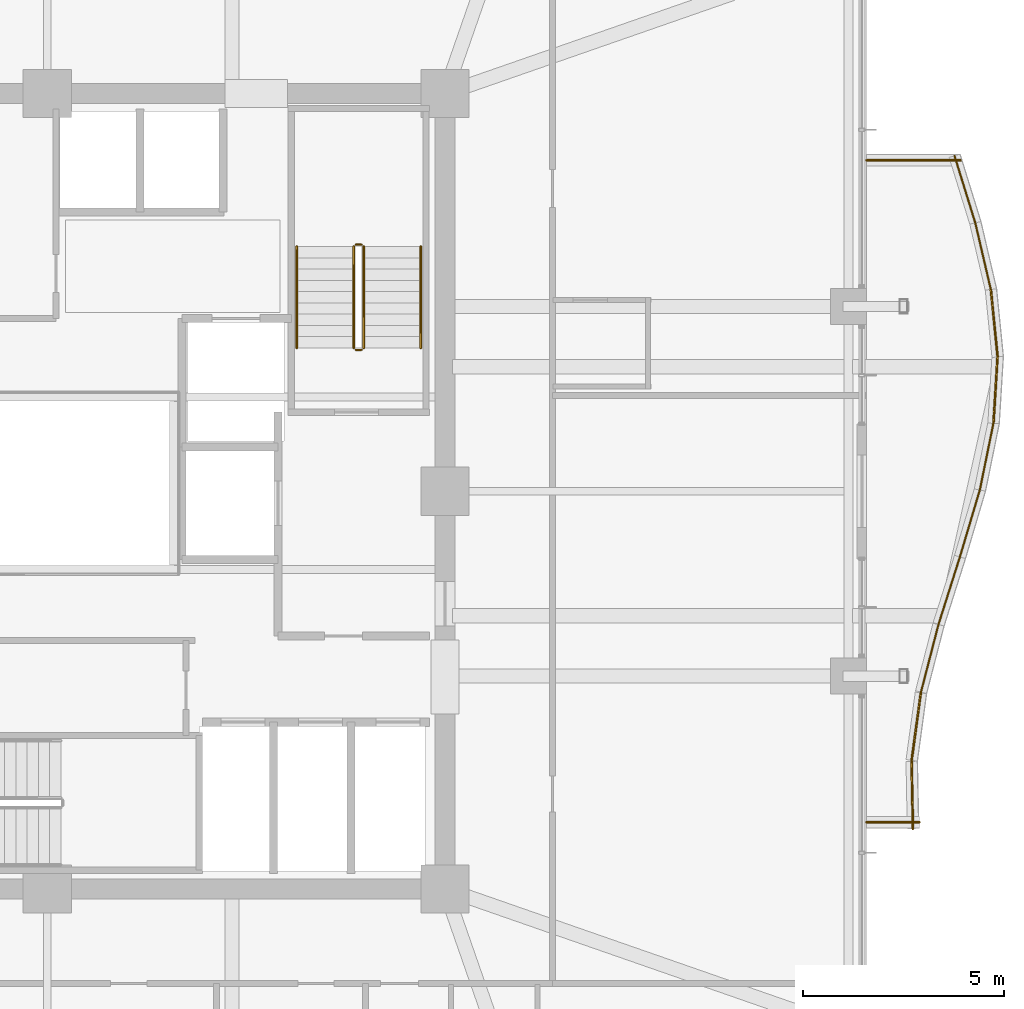
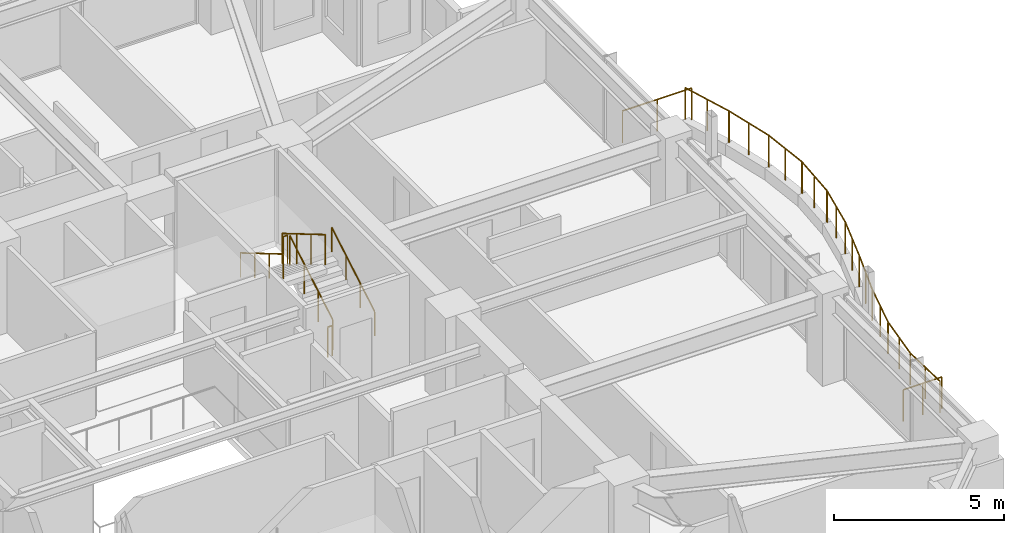
# One storey, part 35 of 35: 18 railings.
"""IFC4 building model written with IfcOpenShell, lengths in metres."""

from ifc_helpers import new_model, si_unit, direction, frame, origin, origin_2d, place, context, subcontext, project, spatial, circle, extrude, material, type_object, element, save


model = new_model("IFC4")

# Units and contexts
model_context = context("Model", 3, precision=1e-05, world=origin(), true_north=direction((0.0, 1.0)))
body_context = subcontext(model_context, "Body", "Model", "MODEL_VIEW")
ifc_project = project(units=[si_unit("LENGTHUNIT", "METRE"), si_unit("AREAUNIT", "SQUARE_METRE"), si_unit("VOLUMEUNIT", "CUBIC_METRE"), si_unit("PLANEANGLEUNIT", "RADIAN"), si_unit("MASSUNIT", "GRAM", prefix="KILO")], contexts=[model_context])

# Site, building, storey
site_placement = place(None, origin())
site = spatial("IfcSite", under=ifc_project, at=site_placement, CompositionType="ELEMENT")
building_placement = place(site_placement, origin())
building = spatial("IfcBuilding", under=site, at=building_placement, Name="Kolvaren Belvedere", CompositionType="ELEMENT")
storey_placement = place(building_placement, frame((0.0, 0.0, 176.699951171875)))
storey = spatial("IfcBuildingStorey", under=building, at=storey_placement, Name="L51", CompositionType="ELEMENT", Elevation=176.699951171875)

# Railings
ifc_material_1 = material(Name="Anodised pale-metal aluminium & laminated glass guard", Category="aluminium")
railing_type_1 = type_object("IfcRailingType", Name="RL-GUARD-1150", PredefinedType="GUARDRAIL", material=ifc_material_1)
railing_1_placement = place(storey_placement, frame((21.552978515625, -8.4033203125, 0.380126953125)))
element("IfcRailing", 1, at=railing_1_placement, inside=storey, type_object=railing_type_1, Name="L51 Exterior Deck Safety Guard BAL-E-1", PredefinedType="GUARDRAIL", context=body_context, shape_type="SweptSolid", body=[
    extrude(circle(Radius=0.02392578125, at=origin_2d()), frame((0.0, 0.0, 1.1259765625), z_axis=(-0.020193498486, 0.99979609052, 0.0), x_axis=(-0.99979609052, -0.020193498486, 0.0)), (0.0, 0.0, 1.0), 1.680419921875),
    extrude(circle(Radius=0.02099609375, at=origin_2d()), origin(), (0.0, 0.0, 1.0), 1.101806640625),
    extrude(circle(Radius=0.02099609375, at=origin_2d()), frame((-0.01708984375, 0.840087890625, 0.0)), (0.0, 0.0, 1.0), 1.101806640625),
    extrude(circle(Radius=0.02099609375, at=origin_2d()), frame((-0.033935546875, 1.68017578125, 0.0)), (0.0, 0.0, 1.0), 1.101806640625),
])
railing_2_placement = place(storey_placement, frame((21.5205078125, -6.698486328125, 0.380126953125)))
element("IfcRailing", 2, at=railing_2_placement, inside=storey, type_object=railing_type_1, Name="L51 Exterior Deck Safety Guard BAL-E-2", PredefinedType="GUARDRAIL", context=body_context, shape_type="SweptSolid", body=[
    extrude(circle(Radius=0.02392578125, at=origin_2d()), frame((0.0, 0.0, 1.1259765625), z_axis=(0.134907602079, 0.990858183042, 0.0), x_axis=(-0.990858183042, 0.134907602079, 0.0)), (0.0, 0.0, 1.0), 1.695556640625),
    extrude(circle(Radius=0.02099609375, at=origin_2d()), origin(), (0.0, 0.0, 1.0), 1.101806640625),
    extrude(circle(Radius=0.02099609375, at=origin_2d()), frame((0.1142578125, 0.840087890625, 0.0)), (0.0, 0.0, 1.0), 1.101806640625),
    extrude(circle(Radius=0.02099609375, at=origin_2d()), frame((0.228759765625, 1.68017578125, 0.0)), (0.0, 0.0, 1.0), 1.101806640625),
])
railing_3_placement = place(storey_placement, frame((21.7529296875, -5.0, 0.380126953125)))
element("IfcRailing", 3, at=railing_3_placement, inside=storey, type_object=railing_type_1, Name="L51 Exterior Deck Safety Guard BAL-E-3", PredefinedType="GUARDRAIL", context=body_context, shape_type="SweptSolid", body=[
    extrude(circle(Radius=0.02392578125, at=origin_2d()), frame((0.0, 0.0, 1.1259765625), z_axis=(0.250405556038, 0.968141031826, 0.0), x_axis=(-0.968141031826, 0.250405556038, 0.0)), (0.0, 0.0, 1.0), 1.7353515625),
    extrude(circle(Radius=0.02099609375, at=origin_2d()), origin(), (0.0, 0.0, 1.0), 1.101806640625),
    extrude(circle(Radius=0.02099609375, at=origin_2d()), frame((0.21728515625, 0.840087890625, 0.0)), (0.0, 0.0, 1.0), 1.101806640625),
    extrude(circle(Radius=0.02099609375, at=origin_2d()), frame((0.4345703125, 1.68017578125, 0.0)), (0.0, 0.0, 1.0), 1.101806640625),
])
railing_4_placement = place(storey_placement, frame((22.18994140625, -3.3115234375, 0.380126953125)))
element("IfcRailing", 4, at=railing_4_placement, inside=storey, type_object=railing_type_1, Name="L51 Exterior Deck Safety Guard BAL-E-4", PredefinedType="GUARDRAIL", context=body_context, shape_type="SweptSolid", body=[
    extrude(circle(Radius=0.02392578125, at=origin_2d()), frame((0.0, 0.0, 1.1259765625), z_axis=(0.302397356111, 0.953181954832, 0.0), x_axis=(-0.953181954832, 0.302397356111, 0.0)), (0.0, 0.0, 1.0), 1.762451171875),
    extrude(circle(Radius=0.02099609375, at=origin_2d()), origin(), (0.0, 0.0, 1.0), 1.101806640625),
    extrude(circle(Radius=0.02099609375, at=origin_2d()), frame((0.2666015625, 0.83984375, 0.0)), (0.0, 0.0, 1.0), 1.101806640625),
    extrude(circle(Radius=0.02099609375, at=origin_2d()), frame((0.532958984375, 1.679931640625, 0.0)), (0.0, 0.0, 1.0), 1.101806640625),
])
railing_5_placement = place(storey_placement, frame((22.721923828125, -1.634521484375, 0.380126953125)))
element("IfcRailing", 5, at=railing_5_placement, inside=storey, type_object=railing_type_1, Name="L51 Exterior Deck Safety Guard BAL-E-5", PredefinedType="GUARDRAIL", context=body_context, shape_type="SweptSolid", body=[
    extrude(circle(Radius=0.02392578125, at=origin_2d()), frame((0.0, 0.0, 1.1259765625), z_axis=(0.284970268083, 0.958536356279, 0.0), x_axis=(-0.958536356279, 0.284970268083, 0.0)), (0.0, 0.0, 1.0), 1.7529296875),
    extrude(circle(Radius=0.02099609375, at=origin_2d()), origin(), (0.0, 0.0, 1.0), 1.101806640625),
    extrude(circle(Radius=0.02099609375, at=origin_2d()), frame((0.249755859375, 0.840087890625, 0.0)), (0.0, 0.0, 1.0), 1.101806640625),
    extrude(circle(Radius=0.02099609375, at=origin_2d()), frame((0.49951171875, 1.68017578125, 0.0)), (0.0, 0.0, 1.0), 1.101806640625),
])
railing_6_placement = place(storey_placement, frame((23.218017578125, 0.031982421875, 0.380126953125)))
element("IfcRailing", 6, at=railing_6_placement, inside=storey, type_object=railing_type_1, Name="L51 Exterior Deck Safety Guard BAL-E-6", PredefinedType="GUARDRAIL", context=body_context, shape_type="SweptSolid", body=[
    extrude(circle(Radius=0.02392578125, at=origin_2d()), frame((0.0, 0.0, 1.1259765625), z_axis=(0.199647526069, 0.979867779516, 0.0), x_axis=(-0.979867779516, 0.199647526069, 0.0)), (0.0, 0.0, 1.0), 1.71435546875),
    extrude(circle(Radius=0.02099609375, at=origin_2d()), origin(), (0.0, 0.0, 1.0), 1.101806640625),
    extrude(circle(Radius=0.02099609375, at=origin_2d()), frame((0.171142578125, 0.83984375, 0.0)), (0.0, 0.0, 1.0), 1.101806640625),
    extrude(circle(Radius=0.02099609375, at=origin_2d()), frame((0.34228515625, 1.679931640625, 0.0)), (0.0, 0.0, 1.0), 1.101806640625),
])
railing_7_placement = place(storey_placement, frame((23.5576171875, 1.689697265625, 0.380126953125)))
element("IfcRailing", 7, at=railing_7_placement, inside=storey, type_object=railing_type_1, Name="L51 Exterior Deck Safety Guard BAL-E-7", PredefinedType="GUARDRAIL", context=body_context, shape_type="SweptSolid", body=[
    extrude(circle(Radius=0.02392578125, at=origin_2d()), frame((0.0, 0.0, 1.1259765625), z_axis=(0.061059932685, 0.998134101522, 0.0), x_axis=(-0.998134101522, 0.061059932685, 0.0)), (0.0, 0.0, 1.0), 1.683349609375),
    extrude(circle(Radius=0.02099609375, at=origin_2d()), origin(), (0.0, 0.0, 1.0), 1.101806640625),
    extrude(circle(Radius=0.02099609375, at=origin_2d()), frame((0.05126953125, 0.840087890625, 0.0)), (0.0, 0.0, 1.0), 1.101806640625),
    extrude(circle(Radius=0.02099609375, at=origin_2d()), frame((0.102783203125, 1.68017578125, 0.0)), (0.0, 0.0, 1.0), 1.101806640625),
])
railing_8_placement = place(storey_placement, frame((23.660888671875, 3.343994140625, 0.380126953125)))
element("IfcRailing", 8, at=railing_8_placement, inside=storey, type_object=railing_type_1, Name="L51 Exterior Deck Safety Guard BAL-E-8", PredefinedType="GUARDRAIL", context=body_context, shape_type="SweptSolid", body=[
    extrude(circle(Radius=0.02392578125, at=origin_2d()), frame((0.0, 0.0, 1.1259765625), z_axis=(-0.099618240186, 0.995025731437, 0.0), x_axis=(-0.995025731437, -0.099618240186, 0.0)), (0.0, 0.0, 1.0), 1.6884765625),
    extrude(circle(Radius=0.02099609375, at=origin_2d()), origin(), (0.0, 0.0, 1.0), 1.101806640625),
    extrude(circle(Radius=0.02099609375, at=origin_2d()), frame((-0.083984375, 0.840087890625, 0.0)), (0.0, 0.0, 1.0), 1.101806640625),
    extrude(circle(Radius=0.02099609375, at=origin_2d()), frame((-0.168212890625, 1.68017578125, 0.0)), (0.0, 0.0, 1.0), 1.101806640625),
])
railing_9_placement = place(storey_placement, frame((23.49609375, 5.003662109375, 0.380126953125)))
element("IfcRailing", 9, at=railing_9_placement, inside=storey, type_object=railing_type_1, Name="L51 Exterior Deck Safety Guard BAL-E-9", PredefinedType="GUARDRAIL", context=body_context, shape_type="SweptSolid", body=[
    extrude(circle(Radius=0.02392578125, at=origin_2d()), frame((0.0, 0.0, 1.1259765625), z_axis=(-0.227019323824, 0.973890253884, 0.0), x_axis=(-0.973890253884, -0.227019323824, 0.0)), (0.0, 0.0, 1.0), 1.724853515625),
    extrude(circle(Radius=0.02099609375, at=origin_2d()), origin(), (0.0, 0.0, 1.0), 1.101806640625),
    extrude(circle(Radius=0.02099609375, at=origin_2d()), frame((-0.19580078125, 0.83984375, 0.0)), (0.0, 0.0, 1.0), 1.101806640625),
    extrude(circle(Radius=0.02099609375, at=origin_2d()), frame((-0.3916015625, 1.679931640625, 0.0)), (0.0, 0.0, 1.0), 1.101806640625),
])
railing_10_placement = place(storey_placement, frame((23.107421875, 6.672607421875, 0.380126953125)))
element("IfcRailing", 10, at=railing_10_placement, inside=storey, type_object=railing_type_1, Name="L51 Exterior Deck Safety Guard BAL-E-10", PredefinedType="GUARDRAIL", context=body_context, shape_type="SweptSolid", body=[
    extrude(circle(Radius=0.02392578125, at=origin_2d()), frame((0.0, 0.0, 1.1259765625), z_axis=(-0.29579229954, 0.955252278476, 0.0), x_axis=(-0.955252278476, -0.29579229954, 0.0)), (0.0, 0.0, 1.0), 1.7587890625),
    extrude(circle(Radius=0.02099609375, at=origin_2d()), origin(), (0.0, 0.0, 1.0), 1.101806640625),
    extrude(circle(Radius=0.02099609375, at=origin_2d()), frame((-0.26025390625, 0.840087890625, 0.0)), (0.0, 0.0, 1.0), 1.101806640625),
    extrude(circle(Radius=0.02099609375, at=origin_2d()), frame((-0.520263671875, 1.68017578125, 0.0)), (0.0, 0.0, 1.0), 1.101806640625),
])
railing_11_placement = place(storey_placement, frame((22.739990234375, 8.239990234375, 0.380126953125)))
element("IfcRailing", 11, at=railing_11_placement, inside=storey, type_object=railing_type_1, Name="L51 Exterior Deck Safety Guard BAL-E-11", PredefinedType="GUARDRAIL", context=body_context, shape_type="SweptSolid", body=[
    extrude(circle(Radius=0.02392578125, at=origin_2d()), frame((0.0, 0.0, 1.1259765625), z_axis=(-1.0, 0.0, 0.0), x_axis=(0.0, -1.0, 0.0)), (0.0, 0.0, 1.0), 2.340087890625),
    extrude(circle(Radius=0.02099609375, at=origin_2d()), origin(), (0.0, 0.0, 1.0), 1.101806640625),
    extrude(circle(Radius=0.02099609375, at=origin_2d()), frame((-1.169921875, 0.0, 0.0)), (0.0, 0.0, 1.0), 1.101806640625),
    extrude(circle(Radius=0.02099609375, at=origin_2d()), frame((-2.340087890625, 0.0, 0.0)), (0.0, 0.0, 1.0), 1.101806640625),
])
railing_12_placement = place(storey_placement, frame((20.39990234375, -8.239990234375, 0.380126953125)))
element("IfcRailing", 12, at=railing_12_placement, inside=storey, type_object=railing_type_1, Name="L51 Exterior Deck Safety Guard BAL-E-22", PredefinedType="GUARDRAIL", context=body_context, shape_type="SweptSolid", body=[
    extrude(circle(Radius=0.02392578125, at=origin_2d()), frame((0.0, 0.0, 1.1259765625), z_axis=(1.0, 0.0, 0.0), x_axis=(0.0, 1.0, 0.0)), (0.0, 0.0, 1.0), 1.31298828125),
    extrude(circle(Radius=0.02099609375, at=origin_2d()), origin(), (0.0, 0.0, 1.0), 1.101806640625),
    extrude(circle(Radius=0.02099609375, at=origin_2d()), frame((0.656494140625, 0.0, 0.0)), (0.0, 0.0, 1.0), 1.101806640625),
    extrude(circle(Radius=0.02099609375, at=origin_2d()), frame((1.31298828125, 0.0, 0.0)), (0.0, 0.0, 1.0), 1.101806640625),
])
ifc_material_2 = material(Name="Brushed stainless-steel handrail", Category="steel")
railing_type_2 = type_object("IfcRailingType", Name="RL-HANDRAIL-920", PredefinedType="HANDRAIL", material=ifc_material_2)
railing_13_placement = place(storey_placement, frame((9.300048828125, 3.570068359375, 0.1650390625)))
element("IfcRailing", 13, at=railing_13_placement, inside=storey, type_object=railing_type_2, Name="L51 ST-2 stair handrail 1", PredefinedType="HANDRAIL", context=body_context, shape_type="SweptSolid", body=[
    extrude(circle(Radius=0.02392578125, at=origin_2d()), frame((0.0, 0.0, 0.8759765625), z_axis=(0.0, 0.86152411907, 0.507716645641), x_axis=(-1.0, 0.0, 0.0)), (0.0, 0.0, 1.0), 2.925048828125),
    extrude(circle(Radius=0.02099609375, at=origin_2d()), origin(), (0.0, 0.0, 1.0), 0.851806640625),
    extrude(circle(Radius=0.02099609375, at=origin_2d()), frame((0.0, 0.840087890625, 0.4951171875)), (0.0, 0.0, 1.0), 0.851806640625),
    extrude(circle(Radius=0.02099609375, at=origin_2d()), frame((0.0, 1.679931640625, 0.989990234375)), (0.0, 0.0, 1.0), 0.851806640625),
    extrude(circle(Radius=0.02099609375, at=origin_2d()), frame((0.0, 2.52001953125, 1.485107421875)), (0.0, 0.0, 1.0), 0.851806640625),
])
railing_14_placement = place(storey_placement, frame((6.2099609375, 6.090087890625, 1.81494140625)))
element("IfcRailing", 14, at=railing_14_placement, inside=storey, type_object=railing_type_2, Name="L51 ST-2 stair handrail 2", PredefinedType="HANDRAIL", context=body_context, shape_type="SweptSolid", body=[
    extrude(circle(Radius=0.02392578125, at=origin_2d()), frame((0.0, 0.0, 0.8759765625), z_axis=(0.0, -0.86152411907, 0.507716645641), x_axis=(1.0, 0.0, 0.0)), (0.0, 0.0, 1.0), 2.925048828125),
    extrude(circle(Radius=0.02099609375, at=origin_2d()), origin(), (0.0, 0.0, 1.0), 0.851806640625),
    extrude(circle(Radius=0.02099609375, at=origin_2d()), frame((0.0, -0.840087890625, 0.4951171875)), (0.0, 0.0, 1.0), 0.851806640625),
    extrude(circle(Radius=0.02099609375, at=origin_2d()), frame((0.0, -1.679931640625, 0.989990234375)), (0.0, 0.0, 1.0), 0.851806640625),
    extrude(circle(Radius=0.02099609375, at=origin_2d()), frame((0.0, -2.52001953125, 1.485107421875)), (0.0, 0.0, 1.0), 0.851806640625),
])
ifc_material_3 = material(Name="Painted tubular steel stair guard", Category="steel")
railing_type_3 = type_object("IfcRailingType", Name="RL-STGUARD-1100", PredefinedType="GUARDRAIL", material=ifc_material_3)
railing_15_placement = place(storey_placement, frame((7.8798828125, 3.570068359375, 0.1650390625)))
element("IfcRailing", 15, at=railing_15_placement, inside=storey, type_object=railing_type_3, Name="L51 ST-2 stair guard 1", PredefinedType="GUARDRAIL", context=body_context, shape_type="SweptSolid", body=[
    extrude(circle(Radius=0.02392578125, at=origin_2d()), frame((0.0, 0.0, 1.076171875), z_axis=(0.0, 0.86152411907, 0.507716645641), x_axis=(-1.0, 0.0, 0.0)), (0.0, 0.0, 1.0), 2.925048828125),
    extrude(circle(Radius=0.02099609375, at=origin_2d()), origin(), (0.0, 0.0, 1.0), 1.052001953125),
    extrude(circle(Radius=0.02099609375, at=origin_2d()), frame((0.0, 0.840087890625, 0.4951171875)), (0.0, 0.0, 1.0), 1.052001953125),
    extrude(circle(Radius=0.02099609375, at=origin_2d()), frame((0.0, 1.679931640625, 0.989990234375)), (0.0, 0.0, 1.0), 1.052001953125),
    extrude(circle(Radius=0.02099609375, at=origin_2d()), frame((0.0, 2.52001953125, 1.485107421875)), (0.0, 0.0, 1.0), 1.052001953125),
])
railing_16_placement = place(storey_placement, frame((7.830078125, 6.139892578125, 1.650146484375)))
element("IfcRailing", 16, at=railing_16_placement, inside=storey, type_object=railing_type_3, Name="L51 ST-2 stair guard 2", PredefinedType="GUARDRAIL", context=body_context, shape_type="SweptSolid", body=[
    extrude(circle(Radius=0.02392578125, at=origin_2d()), frame((0.0, 0.0, 1.076171875), z_axis=(-1.0, 0.0, 0.0), x_axis=(0.0, -1.0, 0.0)), (0.0, 0.0, 1.0), 0.150146484375),
    extrude(circle(Radius=0.02099609375, at=origin_2d()), origin(), (0.0, 0.0, 1.0), 1.052001953125),
    extrude(circle(Radius=0.02099609375, at=origin_2d()), frame((-0.150146484375, 0.0, 0.0)), (0.0, 0.0, 1.0), 1.052001953125),
])
railing_17_placement = place(storey_placement, frame((7.6298828125, 6.090087890625, 1.81494140625)))
element("IfcRailing", 17, at=railing_17_placement, inside=storey, type_object=railing_type_3, Name="L51 ST-2 stair guard 3", PredefinedType="GUARDRAIL", context=body_context, shape_type="SweptSolid", body=[
    extrude(circle(Radius=0.02392578125, at=origin_2d()), frame((0.0, 0.0, 1.076171875), z_axis=(0.0, -0.86152411907, 0.507716645641), x_axis=(1.0, 0.0, 0.0)), (0.0, 0.0, 1.0), 2.925048828125),
    extrude(circle(Radius=0.02099609375, at=origin_2d()), origin(), (0.0, 0.0, 1.0), 1.052001953125),
    extrude(circle(Radius=0.02099609375, at=origin_2d()), frame((0.0, -0.840087890625, 0.4951171875)), (0.0, 0.0, 1.0), 1.052001953125),
    extrude(circle(Radius=0.02099609375, at=origin_2d()), frame((0.0, -1.679931640625, 0.989990234375)), (0.0, 0.0, 1.0), 1.052001953125),
    extrude(circle(Radius=0.02099609375, at=origin_2d()), frame((0.0, -2.52001953125, 1.485107421875)), (0.0, 0.0, 1.0), 1.052001953125),
])
railing_18_placement = place(storey_placement, frame((7.830078125, 3.52001953125, 0.0)))
element("IfcRailing", 18, at=railing_18_placement, inside=storey, type_object=railing_type_3, Name="L51 ST-2 stair guard 4", PredefinedType="GUARDRAIL", context=body_context, shape_type="SweptSolid", body=[
    extrude(circle(Radius=0.02392578125, at=origin_2d()), frame((0.0, 0.0, 1.076171875), z_axis=(-1.0, 0.0, 0.0), x_axis=(0.0, -1.0, 0.0)), (0.0, 0.0, 1.0), 0.150146484375),
    extrude(circle(Radius=0.02099609375, at=origin_2d()), origin(), (0.0, 0.0, 1.0), 1.052001953125),
    extrude(circle(Radius=0.02099609375, at=origin_2d()), frame((-0.150146484375, 0.0, 0.0)), (0.0, 0.0, 1.0), 1.052001953125),
])

save(model, "model.ifc")
